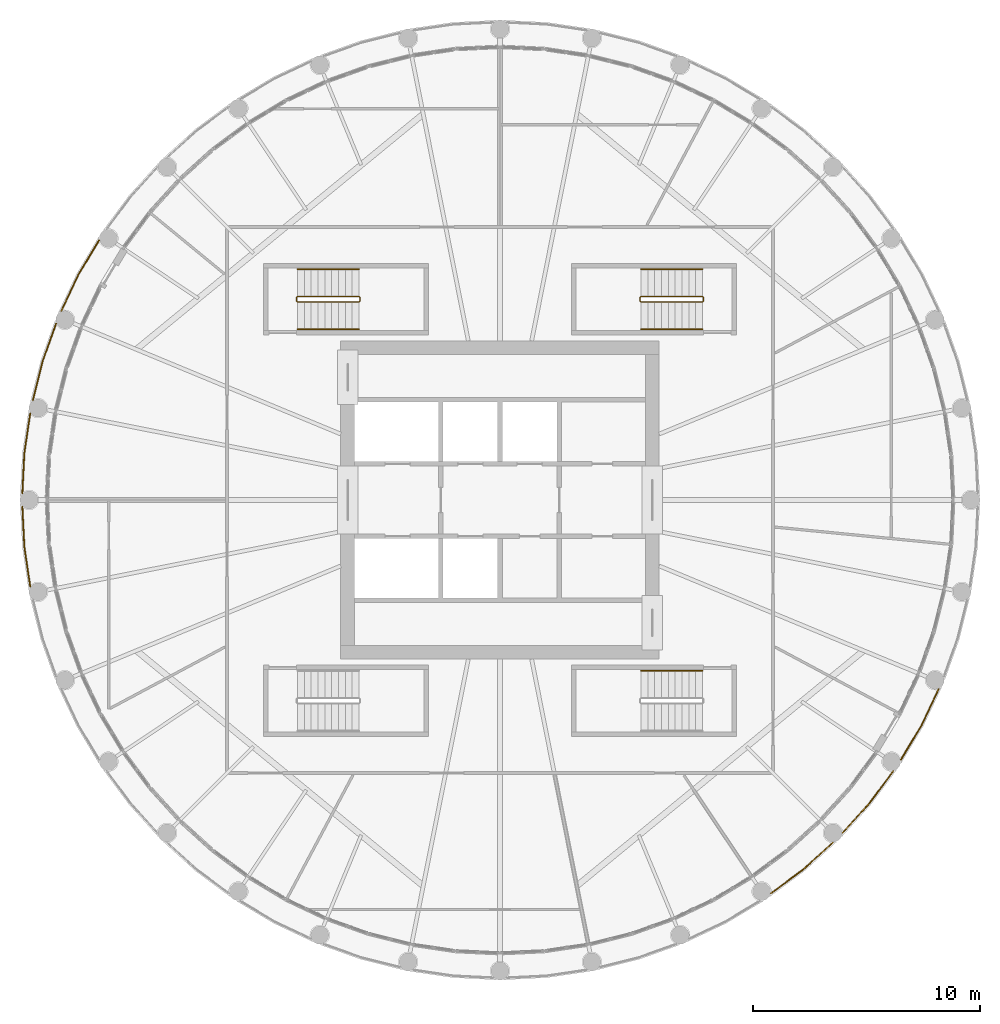
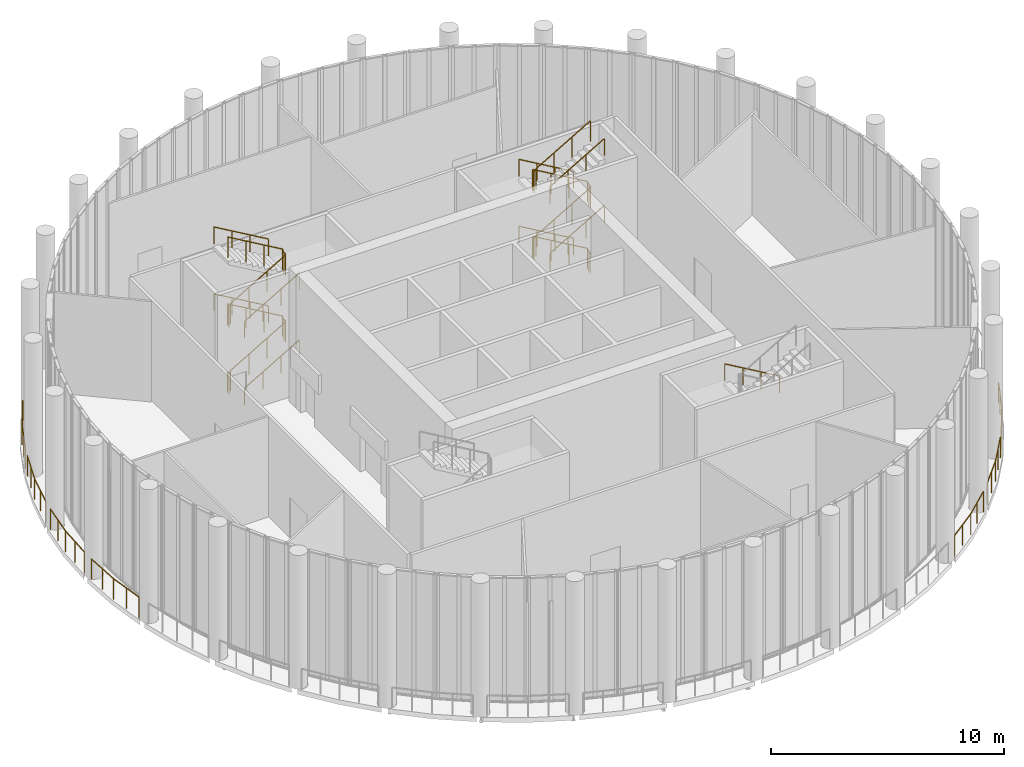
# One storey, part 20 of 21: 18 railings.
"""IFC4 building model written with IfcOpenShell, lengths in metres."""

from ifc_helpers import new_model, si_unit, direction, frame, origin, origin_2d, place, context, subcontext, project, spatial, circle, extrude, material, type_object, element, save


model = new_model("IFC4")

# Units and contexts
model_context = context("Model", 3, precision=1e-05, world=origin(), true_north=direction((0.0, 1.0)))
body_context = subcontext(model_context, "Body", "Model", "MODEL_VIEW")
ifc_project = project(units=[si_unit("LENGTHUNIT", "METRE"), si_unit("AREAUNIT", "SQUARE_METRE"), si_unit("VOLUMEUNIT", "CUBIC_METRE"), si_unit("PLANEANGLEUNIT", "RADIAN"), si_unit("MASSUNIT", "GRAM", prefix="KILO")], contexts=[model_context])

# Site, building, storey
site_placement = place(None, origin())
site = spatial("IfcSite", under=ifc_project, at=site_placement, CompositionType="ELEMENT")
building_placement = place(site_placement, origin())
building = spatial("IfcBuilding", under=site, at=building_placement, Name="Corvane Civic Tower", CompositionType="ELEMENT")
storey_placement = place(building_placement, frame((0.0, 0.0, 380.5)))
storey = spatial("IfcBuildingStorey", under=building, at=storey_placement, Name="L91", CompositionType="ELEMENT", Elevation=380.5)

# Railings
ifc_material_1 = material(Name="Steel ASTM A572 Gr 50", Category="steel")
railing_type_1 = type_object("IfcRailingType", Name="PODIUM-RL-GUARD-1100", PredefinedType="GUARDRAIL", material=ifc_material_1)
railing_1_placement = place(storey_placement, frame((11.91162109375, -17.2919921875, 0.0)))
element("IfcRailing", 1, at=railing_1_placement, inside=storey, type_object=railing_type_1, Name="Lookout gallery guard 7", PredefinedType="GUARDRAIL", context=body_context, shape_type="SweptSolid", body=[
    extrude(circle(Radius=0.02392578125, at=origin_2d()), frame((0.0, 0.0, 1.076171875), z_axis=(0.803177057574, 0.595740391602, 0.0), x_axis=(-0.595740391602, 0.803177057574, 0.0)), (0.0, 0.0, 1.0), 1.76416015625),
    extrude(circle(Radius=0.02392578125, at=origin_2d()), frame((1.4169921875, 1.051025390625, 1.076171875), z_axis=(0.740885716185, 0.671631115682, 0.0), x_axis=(-0.671631115682, 0.740885716185, 0.0)), (0.0, 0.0, 1.0), 1.7626953125),
    extrude(circle(Radius=0.02099609375, at=origin_2d()), origin(), (0.0, 0.0, 1.0), 1.052001953125),
    extrude(circle(Radius=0.02099609375, at=origin_2d()), frame((0.70849609375, 0.525390625, 0.0)), (0.0, 0.0, 1.0), 1.052001953125),
    extrude(circle(Radius=0.02099609375, at=origin_2d()), frame((1.4169921875, 1.051025390625, 0.0)), (0.0, 0.0, 1.0), 1.052001953125),
    extrude(circle(Radius=0.02099609375, at=origin_2d()), frame((2.06982421875, 1.64306640625, 0.0)), (0.0, 0.0, 1.0), 1.052001953125),
    extrude(circle(Radius=0.02099609375, at=origin_2d()), frame((2.722900390625, 2.23486328125, 0.0)), (0.0, 0.0, 1.0), 1.052001953125),
])
railing_2_placement = place(storey_placement, frame((15.05712890625, -14.634521484375, 0.0)))
element("IfcRailing", 2, at=railing_2_placement, inside=storey, type_object=railing_type_1, Name="Lookout gallery guard 9", PredefinedType="GUARDRAIL", context=body_context, shape_type="SweptSolid", body=[
    extrude(circle(Radius=0.02392578125, at=origin_2d()), frame((0.0, 0.0, 1.076171875), z_axis=(0.671631115682, 0.740885716185, 0.0), x_axis=(-0.740885716185, 0.671631115682, 0.0)), (0.0, 0.0, 1.0), 1.7626953125),
    extrude(circle(Radius=0.02392578125, at=origin_2d()), frame((1.183837890625, 1.305908203125, 1.076171875), z_axis=(0.595740391602, 0.803177057574, 0.0), x_axis=(-0.803177057574, 0.595740391602, 0.0)), (0.0, 0.0, 1.0), 1.76416015625),
    extrude(circle(Radius=0.02099609375, at=origin_2d()), origin(), (0.0, 0.0, 1.0), 1.052001953125),
    extrude(circle(Radius=0.02099609375, at=origin_2d()), frame((0.591796875, 0.65283203125, 0.0)), (0.0, 0.0, 1.0), 1.052001953125),
    extrude(circle(Radius=0.02099609375, at=origin_2d()), frame((1.183837890625, 1.305908203125, 0.0)), (0.0, 0.0, 1.0), 1.052001953125),
    extrude(circle(Radius=0.02099609375, at=origin_2d()), frame((1.70947265625, 2.014404296875, 0.0)), (0.0, 0.0, 1.0), 1.052001953125),
    extrude(circle(Radius=0.02099609375, at=origin_2d()), frame((2.23486328125, 2.722900390625, 0.0)), (0.0, 0.0, 1.0), 1.052001953125),
])
railing_3_placement = place(storey_placement, frame((17.622314453125, -11.417236328125, 0.0)))
element("IfcRailing", 3, at=railing_3_placement, inside=storey, type_object=railing_type_1, Name="Lookout gallery guard 11", PredefinedType="GUARDRAIL", context=body_context, shape_type="SweptSolid", body=[
    extrude(circle(Radius=0.02392578125, at=origin_2d()), frame((0.0, 0.0, 1.076171875), z_axis=(0.514007211238, 0.857785863019, 0.0), x_axis=(-0.857785863019, 0.514007211238, 0.0)), (0.0, 0.0, 1.0), 1.76416015625),
    extrude(circle(Radius=0.02392578125, at=origin_2d()), frame((0.90673828125, 1.51318359375, 1.076171875), z_axis=(0.427610082489, 0.903963283189, 0.0), x_axis=(-0.903963283189, 0.427610082489, 0.0)), (0.0, 0.0, 1.0), 1.76318359375),
    extrude(circle(Radius=0.02099609375, at=origin_2d()), origin(), (0.0, 0.0, 1.0), 1.052001953125),
    extrude(circle(Radius=0.02099609375, at=origin_2d()), frame((0.453369140625, 0.756591796875, 0.0)), (0.0, 0.0, 1.0), 1.052001953125),
    extrude(circle(Radius=0.02099609375, at=origin_2d()), frame((0.90673828125, 1.51318359375, 0.0)), (0.0, 0.0, 1.0), 1.052001953125),
    extrude(circle(Radius=0.02099609375, at=origin_2d()), frame((1.28369140625, 2.31005859375, 0.0)), (0.0, 0.0, 1.0), 1.052001953125),
    extrude(circle(Radius=0.02099609375, at=origin_2d()), frame((1.66064453125, 3.10693359375, 0.0)), (0.0, 0.0, 1.0), 1.052001953125),
])
railing_4_placement = place(storey_placement, frame((-20.995361328125, -0.29833984375, 0.0)))
element("IfcRailing", 4, at=railing_4_placement, inside=storey, type_object=railing_type_1, Name="Lookout gallery guard 16", PredefinedType="GUARDRAIL", context=body_context, shape_type="SweptSolid", body=[
    extrude(circle(Radius=0.02392578125, at=origin_2d()), frame((0.0, 0.0, 1.076171875), z_axis=(0.049019054017, -0.998797843582, 0.0), x_axis=(0.998797843582, 0.049019054017, 0.0)), (0.0, 0.0, 1.0), 1.76318359375),
    extrude(circle(Radius=0.02392578125, at=origin_2d()), frame((0.08642578125, -1.760986328125, 1.076171875), z_axis=(0.146844593448, -0.989159575283, 0.0), x_axis=(0.989159575283, 0.146844593448, 0.0)), (0.0, 0.0, 1.0), 1.763916015625),
    extrude(circle(Radius=0.02099609375, at=origin_2d()), origin(), (0.0, 0.0, 1.0), 1.052001953125),
    extrude(circle(Radius=0.02099609375, at=origin_2d()), frame((0.043212890625, -0.88037109375, 0.0)), (0.0, 0.0, 1.0), 1.052001953125),
    extrude(circle(Radius=0.02099609375, at=origin_2d()), frame((0.08642578125, -1.760986328125, 0.0)), (0.0, 0.0, 1.0), 1.052001953125),
    extrude(circle(Radius=0.02099609375, at=origin_2d()), frame((0.2158203125, -2.63330078125, 0.0)), (0.0, 0.0, 1.0), 1.052001953125),
    extrude(circle(Radius=0.02099609375, at=origin_2d()), frame((0.345458984375, -3.505859375, 0.0)), (0.0, 0.0, 1.0), 1.052001953125),
])
railing_5_placement = place(storey_placement, frame((-20.64990234375, 3.80419921875, 0.0)))
element("IfcRailing", 5, at=railing_5_placement, inside=storey, type_object=railing_type_1, Name="Lookout gallery guard 18", PredefinedType="GUARDRAIL", context=body_context, shape_type="SweptSolid", body=[
    extrude(circle(Radius=0.02392578125, at=origin_2d()), frame((0.0, 0.0, 1.076171875), z_axis=(-0.146844593448, -0.989159575283, 0.0), x_axis=(0.989159575283, -0.146844593448, 0.0)), (0.0, 0.0, 1.0), 1.763916015625),
    extrude(circle(Radius=0.02392578125, at=origin_2d()), frame((-0.259033203125, -1.744873046875, 1.076171875), z_axis=(-0.049019054017, -0.998797843582, 0.0), x_axis=(0.998797843582, -0.049019054017, 0.0)), (0.0, 0.0, 1.0), 1.76318359375),
    extrude(circle(Radius=0.02099609375, at=origin_2d()), origin(), (0.0, 0.0, 1.0), 1.052001953125),
    extrude(circle(Radius=0.02099609375, at=origin_2d()), frame((-0.12939453125, -0.87255859375, 0.0)), (0.0, 0.0, 1.0), 1.052001953125),
    extrude(circle(Radius=0.02099609375, at=origin_2d()), frame((-0.259033203125, -1.744873046875, 0.0)), (0.0, 0.0, 1.0), 1.052001953125),
    extrude(circle(Radius=0.02099609375, at=origin_2d()), frame((-0.30224609375, -2.62548828125, 0.0)), (0.0, 0.0, 1.0), 1.052001953125),
    extrude(circle(Radius=0.02099609375, at=origin_2d()), frame((-0.345458984375, -3.505859375, 0.0)), (0.0, 0.0, 1.0), 1.052001953125),
])
railing_6_placement = place(storey_placement, frame((-19.51123046875, 7.7587890625, 0.0)))
element("IfcRailing", 6, at=railing_6_placement, inside=storey, type_object=railing_type_1, Name="Lookout gallery guard 20", PredefinedType="GUARDRAIL", context=body_context, shape_type="SweptSolid", body=[
    extrude(circle(Radius=0.02392578125, at=origin_2d()), frame((0.0, 0.0, 1.076171875), z_axis=(-0.336924092163, -0.941531813653, 0.0), x_axis=(0.941531813653, -0.336924092163, 0.0)), (0.0, 0.0, 1.0), 1.762939453125),
    extrude(circle(Radius=0.02392578125, at=origin_2d()), frame((-0.593994140625, -1.659912109375, 1.076171875), z_axis=(-0.243024052124, -0.970020262721, 0.0), x_axis=(0.970020262721, -0.243024052124, 0.0)), (0.0, 0.0, 1.0), 1.76416015625),
    extrude(circle(Radius=0.02099609375, at=origin_2d()), origin(), (0.0, 0.0, 1.0), 1.052001953125),
    extrude(circle(Radius=0.02099609375, at=origin_2d()), frame((-0.296875, -0.830078125, 0.0)), (0.0, 0.0, 1.0), 1.052001953125),
    extrude(circle(Radius=0.02099609375, at=origin_2d()), frame((-0.593994140625, -1.659912109375, 0.0)), (0.0, 0.0, 1.0), 1.052001953125),
    extrude(circle(Radius=0.02099609375, at=origin_2d()), frame((-0.808349609375, -2.515625, 0.0)), (0.0, 0.0, 1.0), 1.052001953125),
    extrude(circle(Radius=0.02099609375, at=origin_2d()), frame((-1.022705078125, -3.37109375, 0.0)), (0.0, 0.0, 1.0), 1.052001953125),
])
railing_7_placement = place(storey_placement, frame((-17.622314453125, 11.417236328125, 0.0)))
element("IfcRailing", 7, at=railing_7_placement, inside=storey, type_object=railing_type_1, Name="Lookout gallery guard 22", PredefinedType="GUARDRAIL", context=body_context, shape_type="SweptSolid", body=[
    extrude(circle(Radius=0.02392578125, at=origin_2d()), frame((0.0, 0.0, 1.076171875), z_axis=(-0.514007211238, -0.857785863019, 0.0), x_axis=(0.857785863019, -0.514007211238, 0.0)), (0.0, 0.0, 1.0), 1.76416015625),
    extrude(circle(Radius=0.02392578125, at=origin_2d()), frame((-0.90673828125, -1.51318359375, 1.076171875), z_axis=(-0.427610082489, -0.903963283189, 0.0), x_axis=(0.903963283189, -0.427610082489, 0.0)), (0.0, 0.0, 1.0), 1.76318359375),
    extrude(circle(Radius=0.02099609375, at=origin_2d()), origin(), (0.0, 0.0, 1.0), 1.052001953125),
    extrude(circle(Radius=0.02099609375, at=origin_2d()), frame((-0.453369140625, -0.756591796875, 0.0)), (0.0, 0.0, 1.0), 1.052001953125),
    extrude(circle(Radius=0.02099609375, at=origin_2d()), frame((-0.90673828125, -1.51318359375, 0.0)), (0.0, 0.0, 1.0), 1.052001953125),
    extrude(circle(Radius=0.02099609375, at=origin_2d()), frame((-1.28369140625, -2.31005859375, 0.0)), (0.0, 0.0, 1.0), 1.052001953125),
    extrude(circle(Radius=0.02099609375, at=origin_2d()), frame((-1.66064453125, -3.10693359375, 0.0)), (0.0, 0.0, 1.0), 1.052001953125),
])
ifc_material_2 = material(Name="Steel ASTM A572 Gr 50", Category="steel")
railing_type_2 = type_object("IfcRailingType", Name="ST-GUARD-1100", PredefinedType="GUARDRAIL", material=ifc_material_2)
railing_8_placement = place(storey_placement, frame((8.949951171875, 8.75, 0.0)))
element("IfcRailing", 8, at=railing_8_placement, inside=storey, type_object=railing_type_2, Name="L91 ST1 stair guard 1", PredefinedType="GUARDRAIL", context=body_context, shape_type="SweptSolid", body=[
    extrude(circle(Radius=0.02392578125, at=origin_2d()), frame((0.0, 0.0, 1.076171875), z_axis=(0.0, 1.0, 0.0), x_axis=(-1.0, 0.0, 0.0)), (0.0, 0.0, 1.0), 0.14990234375),
    extrude(circle(Radius=0.02392578125, at=origin_2d()), frame((0.0, 0.14990234375, 1.076171875), z_axis=(-0.265065253269, 0.265065253269, 0.927081885822), x_axis=(-0.707106781187, -0.707106781187, 0.0)), (0.0, 0.0, 1.0), 0.188720703125),
    extrude(circle(Radius=0.02392578125, at=origin_2d()), frame((-0.050048828125, 0.199951171875, 1.2509765625), z_axis=(-0.863781733769, 0.0, 0.503866169142), x_axis=(0.0, -1.0, 0.0)), (0.0, 0.0, 1.0), 3.125732421875),
    extrude(circle(Radius=0.02392578125, at=origin_2d()), frame((-2.75, 0.199951171875, 2.826171875), z_axis=(-0.707106781187, -0.707106781187, 0.0), x_axis=(0.707106781187, -0.707106781187, 0.0)), (0.0, 0.0, 1.0), 0.07080078125),
    extrude(circle(Radius=0.02392578125, at=origin_2d()), frame((-2.800048828125, 0.14990234375, 2.826171875), z_axis=(0.0, -1.0, 0.0), x_axis=(1.0, 0.0, 0.0)), (0.0, 0.0, 1.0), 0.14990234375),
    extrude(circle(Radius=0.02392578125, at=origin_2d()), frame((-2.800048828125, 0.0, 2.826171875), z_axis=(0.265065253269, -0.265065253269, 0.927081885822), x_axis=(0.707106781187, 0.707106781187, 0.0)), (0.0, 0.0, 1.0), 0.188720703125),
    extrude(circle(Radius=0.02392578125, at=origin_2d()), frame((-2.75, -0.050048828125, 3.0009765625), z_axis=(0.863781733769, 0.0, 0.503866169142), x_axis=(0.0, 1.0, 0.0)), (0.0, 0.0, 1.0), 3.125732421875),
    extrude(circle(Radius=0.02392578125, at=origin_2d()), frame((-0.050048828125, -0.050048828125, 4.576171875), z_axis=(0.707106781187, 0.707106781187, 0.0), x_axis=(-0.707106781187, 0.707106781187, 0.0)), (0.0, 0.0, 1.0), 0.07080078125),
    extrude(circle(Radius=0.02392578125, at=origin_2d()), frame((0.0, 0.0, 4.576171875), z_axis=(0.0, 1.0, 0.0), x_axis=(-1.0, 0.0, 0.0)), (0.0, 0.0, 1.0), 0.14990234375),
    extrude(circle(Radius=0.02392578125, at=origin_2d()), frame((0.0, 0.14990234375, 4.576171875), z_axis=(-0.265065253269, 0.265065253269, 0.927081885822), x_axis=(-0.707106781187, -0.707106781187, 0.0)), (0.0, 0.0, 1.0), 0.188720703125),
    extrude(circle(Radius=0.02392578125, at=origin_2d()), frame((-0.050048828125, 0.199951171875, 4.7509765625), z_axis=(-0.863781733769, 0.0, 0.503866169142), x_axis=(0.0, -1.0, 0.0)), (0.0, 0.0, 1.0), 3.125732421875),
    extrude(circle(Radius=0.02392578125, at=origin_2d()), frame((-2.75, 0.199951171875, 6.326171875), z_axis=(-0.707106781187, -0.707106781187, 0.0), x_axis=(0.707106781187, -0.707106781187, 0.0)), (0.0, 0.0, 1.0), 0.07080078125),
    extrude(circle(Radius=0.02392578125, at=origin_2d()), frame((-2.800048828125, 0.14990234375, 6.326171875), z_axis=(0.0, -1.0, 0.0), x_axis=(1.0, 0.0, 0.0)), (0.0, 0.0, 1.0), 0.14990234375),
    extrude(circle(Radius=0.02392578125, at=origin_2d()), frame((-2.800048828125, 0.0, 6.326171875), z_axis=(0.265065253269, -0.265065253269, 0.927081885822), x_axis=(0.707106781187, 0.707106781187, 0.0)), (0.0, 0.0, 1.0), 0.188720703125),
    extrude(circle(Radius=0.02392578125, at=origin_2d()), frame((-2.75, -0.050048828125, 6.5009765625), z_axis=(0.863781733769, 0.0, 0.503866169142), x_axis=(0.0, 1.0, 0.0)), (0.0, 0.0, 1.0), 3.125732421875),
    extrude(circle(Radius=0.02099609375, at=origin_2d()), origin(), (0.0, 0.0, 1.0), 1.052001953125),
    extrude(circle(Radius=0.02099609375, at=origin_2d()), frame((0.0, 0.14990234375, 0.0)), (0.0, 0.0, 1.0), 1.052001953125),
    extrude(circle(Radius=0.02099609375, at=origin_2d()), frame((-0.050048828125, 0.199951171875, 0.175048828125)), (0.0, 0.0, 1.0), 1.052001953125),
    extrude(circle(Radius=0.02099609375, at=origin_2d()), frame((-0.949951171875, 0.199951171875, 0.699951171875)), (0.0, 0.0, 1.0), 1.052001953125),
    extrude(circle(Radius=0.02099609375, at=origin_2d()), frame((-1.85009765625, 0.199951171875, 1.22509765625)), (0.0, 0.0, 1.0), 1.052001953125),
    extrude(circle(Radius=0.02099609375, at=origin_2d()), frame((-2.75, 0.199951171875, 1.75)), (0.0, 0.0, 1.0), 1.052001953125),
    extrude(circle(Radius=0.02099609375, at=origin_2d()), frame((-2.800048828125, 0.14990234375, 1.75)), (0.0, 0.0, 1.0), 1.052001953125),
    extrude(circle(Radius=0.02099609375, at=origin_2d()), frame((-2.800048828125, 0.0, 1.75)), (0.0, 0.0, 1.0), 1.052001953125),
    extrude(circle(Radius=0.02099609375, at=origin_2d()), frame((-2.75, -0.050048828125, 1.925048828125)), (0.0, 0.0, 1.0), 1.052001953125),
    extrude(circle(Radius=0.02099609375, at=origin_2d()), frame((-1.85009765625, -0.050048828125, 2.449951171875)), (0.0, 0.0, 1.0), 1.052001953125),
    extrude(circle(Radius=0.02099609375, at=origin_2d()), frame((-0.949951171875, -0.050048828125, 2.97509765625)), (0.0, 0.0, 1.0), 1.052001953125),
    extrude(circle(Radius=0.02099609375, at=origin_2d()), frame((-0.050048828125, -0.050048828125, 3.5)), (0.0, 0.0, 1.0), 1.052001953125),
    extrude(circle(Radius=0.02099609375, at=origin_2d()), frame((0.0, 0.0, 3.5)), (0.0, 0.0, 1.0), 1.052001953125),
    extrude(circle(Radius=0.02099609375, at=origin_2d()), frame((0.0, 0.14990234375, 3.5)), (0.0, 0.0, 1.0), 1.052001953125),
    extrude(circle(Radius=0.02099609375, at=origin_2d()), frame((-0.050048828125, 0.199951171875, 3.675048828125)), (0.0, 0.0, 1.0), 1.052001953125),
    extrude(circle(Radius=0.02099609375, at=origin_2d()), frame((-0.949951171875, 0.199951171875, 4.199951171875)), (0.0, 0.0, 1.0), 1.052001953125),
    extrude(circle(Radius=0.02099609375, at=origin_2d()), frame((-1.85009765625, 0.199951171875, 4.72509765625)), (0.0, 0.0, 1.0), 1.052001953125),
    extrude(circle(Radius=0.02099609375, at=origin_2d()), frame((-2.75, 0.199951171875, 5.25)), (0.0, 0.0, 1.0), 1.052001953125),
    extrude(circle(Radius=0.02099609375, at=origin_2d()), frame((-2.800048828125, 0.14990234375, 5.25)), (0.0, 0.0, 1.0), 1.052001953125),
    extrude(circle(Radius=0.02099609375, at=origin_2d()), frame((-2.800048828125, 0.0, 5.25)), (0.0, 0.0, 1.0), 1.052001953125),
    extrude(circle(Radius=0.02099609375, at=origin_2d()), frame((-2.75, -0.050048828125, 5.425048828125)), (0.0, 0.0, 1.0), 1.052001953125),
    extrude(circle(Radius=0.02099609375, at=origin_2d()), frame((-1.85009765625, -0.050048828125, 5.949951171875)), (0.0, 0.0, 1.0), 1.052001953125),
    extrude(circle(Radius=0.02099609375, at=origin_2d()), frame((-0.949951171875, -0.050048828125, 6.47509765625)), (0.0, 0.0, 1.0), 1.052001953125),
    extrude(circle(Radius=0.02099609375, at=origin_2d()), frame((-0.050048828125, -0.050048828125, 7.0)), (0.0, 0.0, 1.0), 1.052001953125),
])
railing_9_placement = place(storey_placement, frame((-8.949951171875, 8.89990234375, 0.0)))
element("IfcRailing", 9, at=railing_9_placement, inside=storey, type_object=railing_type_2, Name="L91 ST4 stair guard 1", PredefinedType="GUARDRAIL", context=body_context, shape_type="SweptSolid", body=[
    extrude(circle(Radius=0.02392578125, at=origin_2d()), frame((0.0, 0.0, 1.076171875), z_axis=(0.0, -1.0, 0.0), x_axis=(1.0, 0.0, 0.0)), (0.0, 0.0, 1.0), 0.14990234375),
    extrude(circle(Radius=0.02392578125, at=origin_2d()), frame((0.0, -0.14990234375, 1.076171875), z_axis=(0.265065253269, -0.265065253269, 0.927081885822), x_axis=(0.707106781187, 0.707106781187, 0.0)), (0.0, 0.0, 1.0), 0.188720703125),
    extrude(circle(Radius=0.02392578125, at=origin_2d()), frame((0.050048828125, -0.199951171875, 1.2509765625), z_axis=(0.863781733769, 0.0, 0.503866169142), x_axis=(0.0, 1.0, 0.0)), (0.0, 0.0, 1.0), 3.125732421875),
    extrude(circle(Radius=0.02392578125, at=origin_2d()), frame((2.75, -0.199951171875, 2.826171875), z_axis=(0.707106781187, 0.707106781187, 0.0), x_axis=(-0.707106781187, 0.707106781187, 0.0)), (0.0, 0.0, 1.0), 0.07080078125),
    extrude(circle(Radius=0.02392578125, at=origin_2d()), frame((2.800048828125, -0.14990234375, 2.826171875), z_axis=(0.0, 1.0, 0.0), x_axis=(-1.0, 0.0, 0.0)), (0.0, 0.0, 1.0), 0.14990234375),
    extrude(circle(Radius=0.02392578125, at=origin_2d()), frame((2.800048828125, 0.0, 2.826171875), z_axis=(-0.265065253269, 0.265065253269, 0.927081885822), x_axis=(-0.707106781187, -0.707106781187, 0.0)), (0.0, 0.0, 1.0), 0.188720703125),
    extrude(circle(Radius=0.02392578125, at=origin_2d()), frame((2.75, 0.050048828125, 3.0009765625), z_axis=(-0.863781733769, 0.0, 0.503866169142), x_axis=(0.0, -1.0, 0.0)), (0.0, 0.0, 1.0), 3.125732421875),
    extrude(circle(Radius=0.02392578125, at=origin_2d()), frame((0.050048828125, 0.050048828125, 4.576171875), z_axis=(-0.707106781187, -0.707106781187, 0.0), x_axis=(0.707106781187, -0.707106781187, 0.0)), (0.0, 0.0, 1.0), 0.07080078125),
    extrude(circle(Radius=0.02392578125, at=origin_2d()), frame((0.0, 0.0, 4.576171875), z_axis=(0.0, -1.0, 0.0), x_axis=(1.0, 0.0, 0.0)), (0.0, 0.0, 1.0), 0.14990234375),
    extrude(circle(Radius=0.02392578125, at=origin_2d()), frame((0.0, -0.14990234375, 4.576171875), z_axis=(0.265065253269, -0.265065253269, 0.927081885822), x_axis=(0.707106781187, 0.707106781187, 0.0)), (0.0, 0.0, 1.0), 0.188720703125),
    extrude(circle(Radius=0.02392578125, at=origin_2d()), frame((0.050048828125, -0.199951171875, 4.7509765625), z_axis=(0.863781733769, 0.0, 0.503866169142), x_axis=(0.0, 1.0, 0.0)), (0.0, 0.0, 1.0), 3.125732421875),
    extrude(circle(Radius=0.02392578125, at=origin_2d()), frame((2.75, -0.199951171875, 6.326171875), z_axis=(0.707106781187, 0.707106781187, 0.0), x_axis=(-0.707106781187, 0.707106781187, 0.0)), (0.0, 0.0, 1.0), 0.07080078125),
    extrude(circle(Radius=0.02392578125, at=origin_2d()), frame((2.800048828125, -0.14990234375, 6.326171875), z_axis=(0.0, 1.0, 0.0), x_axis=(-1.0, 0.0, 0.0)), (0.0, 0.0, 1.0), 0.14990234375),
    extrude(circle(Radius=0.02392578125, at=origin_2d()), frame((2.800048828125, 0.0, 6.326171875), z_axis=(-0.265065253269, 0.265065253269, 0.927081885822), x_axis=(-0.707106781187, -0.707106781187, 0.0)), (0.0, 0.0, 1.0), 0.188720703125),
    extrude(circle(Radius=0.02392578125, at=origin_2d()), frame((2.75, 0.050048828125, 6.5009765625), z_axis=(-0.863781733769, 0.0, 0.503866169142), x_axis=(0.0, -1.0, 0.0)), (0.0, 0.0, 1.0), 3.125732421875),
    extrude(circle(Radius=0.02099609375, at=origin_2d()), origin(), (0.0, 0.0, 1.0), 1.052001953125),
    extrude(circle(Radius=0.02099609375, at=origin_2d()), frame((0.0, -0.14990234375, 0.0)), (0.0, 0.0, 1.0), 1.052001953125),
    extrude(circle(Radius=0.02099609375, at=origin_2d()), frame((0.050048828125, -0.199951171875, 0.175048828125)), (0.0, 0.0, 1.0), 1.052001953125),
    extrude(circle(Radius=0.02099609375, at=origin_2d()), frame((0.949951171875, -0.199951171875, 0.699951171875)), (0.0, 0.0, 1.0), 1.052001953125),
    extrude(circle(Radius=0.02099609375, at=origin_2d()), frame((1.85009765625, -0.199951171875, 1.22509765625)), (0.0, 0.0, 1.0), 1.052001953125),
    extrude(circle(Radius=0.02099609375, at=origin_2d()), frame((2.75, -0.199951171875, 1.75)), (0.0, 0.0, 1.0), 1.052001953125),
    extrude(circle(Radius=0.02099609375, at=origin_2d()), frame((2.800048828125, -0.14990234375, 1.75)), (0.0, 0.0, 1.0), 1.052001953125),
    extrude(circle(Radius=0.02099609375, at=origin_2d()), frame((2.800048828125, 0.0, 1.75)), (0.0, 0.0, 1.0), 1.052001953125),
    extrude(circle(Radius=0.02099609375, at=origin_2d()), frame((2.75, 0.050048828125, 1.925048828125)), (0.0, 0.0, 1.0), 1.052001953125),
    extrude(circle(Radius=0.02099609375, at=origin_2d()), frame((1.85009765625, 0.050048828125, 2.449951171875)), (0.0, 0.0, 1.0), 1.052001953125),
    extrude(circle(Radius=0.02099609375, at=origin_2d()), frame((0.949951171875, 0.050048828125, 2.97509765625)), (0.0, 0.0, 1.0), 1.052001953125),
    extrude(circle(Radius=0.02099609375, at=origin_2d()), frame((0.050048828125, 0.050048828125, 3.5)), (0.0, 0.0, 1.0), 1.052001953125),
    extrude(circle(Radius=0.02099609375, at=origin_2d()), frame((0.0, 0.0, 3.5)), (0.0, 0.0, 1.0), 1.052001953125),
    extrude(circle(Radius=0.02099609375, at=origin_2d()), frame((0.0, -0.14990234375, 3.5)), (0.0, 0.0, 1.0), 1.052001953125),
    extrude(circle(Radius=0.02099609375, at=origin_2d()), frame((0.050048828125, -0.199951171875, 3.675048828125)), (0.0, 0.0, 1.0), 1.052001953125),
    extrude(circle(Radius=0.02099609375, at=origin_2d()), frame((0.949951171875, -0.199951171875, 4.199951171875)), (0.0, 0.0, 1.0), 1.052001953125),
    extrude(circle(Radius=0.02099609375, at=origin_2d()), frame((1.85009765625, -0.199951171875, 4.72509765625)), (0.0, 0.0, 1.0), 1.052001953125),
    extrude(circle(Radius=0.02099609375, at=origin_2d()), frame((2.75, -0.199951171875, 5.25)), (0.0, 0.0, 1.0), 1.052001953125),
    extrude(circle(Radius=0.02099609375, at=origin_2d()), frame((2.800048828125, -0.14990234375, 5.25)), (0.0, 0.0, 1.0), 1.052001953125),
    extrude(circle(Radius=0.02099609375, at=origin_2d()), frame((2.800048828125, 0.0, 5.25)), (0.0, 0.0, 1.0), 1.052001953125),
    extrude(circle(Radius=0.02099609375, at=origin_2d()), frame((2.75, 0.050048828125, 5.425048828125)), (0.0, 0.0, 1.0), 1.052001953125),
    extrude(circle(Radius=0.02099609375, at=origin_2d()), frame((1.85009765625, 0.050048828125, 5.949951171875)), (0.0, 0.0, 1.0), 1.052001953125),
    extrude(circle(Radius=0.02099609375, at=origin_2d()), frame((0.949951171875, 0.050048828125, 6.47509765625)), (0.0, 0.0, 1.0), 1.052001953125),
    extrude(circle(Radius=0.02099609375, at=origin_2d()), frame((0.050048828125, 0.050048828125, 7.0)), (0.0, 0.0, 1.0), 1.052001953125),
])
ifc_material_3 = material(Name="Steel ASTM A572 Gr 50", Category="steel")
railing_type_3 = type_object("IfcRailingType", Name="ST-HANDRAIL-900", PredefinedType="HANDRAIL", material=ifc_material_3)
railing_10_placement = place(storey_placement, frame((8.89990234375, 10.14990234375, 0.175048828125)))
element("IfcRailing", 10, at=railing_10_placement, inside=storey, type_object=railing_type_3, Name="L91 ST1 stair handrail 1", PredefinedType="HANDRAIL", context=body_context, shape_type="SweptSolid", body=[
    extrude(circle(Radius=0.02392578125, at=origin_2d()), frame((0.0, 0.0, 0.8759765625), z_axis=(-0.863781733769, 0.0, 0.503866169142), x_axis=(0.0, -1.0, 0.0)), (0.0, 0.0, 1.0), 3.125732421875),
    extrude(circle(Radius=0.02099609375, at=origin_2d()), origin(), (0.0, 0.0, 1.0), 0.851806640625),
    extrude(circle(Radius=0.02099609375, at=origin_2d()), frame((-0.89990234375, 0.0, 0.52490234375)), (0.0, 0.0, 1.0), 0.851806640625),
    extrude(circle(Radius=0.02099609375, at=origin_2d()), frame((-1.800048828125, 0.0, 1.050048828125)), (0.0, 0.0, 1.0), 0.851806640625),
    extrude(circle(Radius=0.02099609375, at=origin_2d()), frame((-2.699951171875, 0.0, 1.574951171875)), (0.0, 0.0, 1.0), 0.851806640625),
])
railing_11_placement = place(storey_placement, frame((6.199951171875, 7.5, 1.925048828125)))
element("IfcRailing", 11, at=railing_11_placement, inside=storey, type_object=railing_type_3, Name="L91 ST1 stair handrail 2", PredefinedType="HANDRAIL", context=body_context, shape_type="SweptSolid", body=[
    extrude(circle(Radius=0.02392578125, at=origin_2d()), frame((0.0, 0.0, 0.8759765625), z_axis=(0.863781733769, 0.0, 0.503866169142), x_axis=(0.0, 1.0, 0.0)), (0.0, 0.0, 1.0), 3.125732421875),
    extrude(circle(Radius=0.02099609375, at=origin_2d()), origin(), (0.0, 0.0, 1.0), 0.851806640625),
    extrude(circle(Radius=0.02099609375, at=origin_2d()), frame((0.89990234375, 0.0, 0.52490234375)), (0.0, 0.0, 1.0), 0.851806640625),
    extrude(circle(Radius=0.02099609375, at=origin_2d()), frame((1.800048828125, 0.0, 1.050048828125)), (0.0, 0.0, 1.0), 0.851806640625),
    extrude(circle(Radius=0.02099609375, at=origin_2d()), frame((2.699951171875, 0.0, 1.574951171875)), (0.0, 0.0, 1.0), 0.851806640625),
])
railing_12_placement = place(storey_placement, frame((8.89990234375, 10.14990234375, 3.675048828125)))
element("IfcRailing", 12, at=railing_12_placement, inside=storey, type_object=railing_type_3, Name="L91 ST1 stair handrail 3", PredefinedType="HANDRAIL", context=body_context, shape_type="SweptSolid", body=[
    extrude(circle(Radius=0.02392578125, at=origin_2d()), frame((0.0, 0.0, 0.8759765625), z_axis=(-0.863781733769, 0.0, 0.503866169142), x_axis=(0.0, -1.0, 0.0)), (0.0, 0.0, 1.0), 3.125732421875),
    extrude(circle(Radius=0.02099609375, at=origin_2d()), origin(), (0.0, 0.0, 1.0), 0.851806640625),
    extrude(circle(Radius=0.02099609375, at=origin_2d()), frame((-0.89990234375, 0.0, 0.52490234375)), (0.0, 0.0, 1.0), 0.851806640625),
    extrude(circle(Radius=0.02099609375, at=origin_2d()), frame((-1.800048828125, 0.0, 1.050048828125)), (0.0, 0.0, 1.0), 0.851806640625),
    extrude(circle(Radius=0.02099609375, at=origin_2d()), frame((-2.699951171875, 0.0, 1.574951171875)), (0.0, 0.0, 1.0), 0.851806640625),
])
railing_13_placement = place(storey_placement, frame((6.199951171875, 7.5, 5.425048828125)))
element("IfcRailing", 13, at=railing_13_placement, inside=storey, type_object=railing_type_3, Name="L91 ST1 stair handrail 4", PredefinedType="HANDRAIL", context=body_context, shape_type="SweptSolid", body=[
    extrude(circle(Radius=0.02392578125, at=origin_2d()), frame((0.0, 0.0, 0.8759765625), z_axis=(0.863781733769, 0.0, 0.503866169142), x_axis=(0.0, 1.0, 0.0)), (0.0, 0.0, 1.0), 3.125732421875),
    extrude(circle(Radius=0.02099609375, at=origin_2d()), origin(), (0.0, 0.0, 1.0), 0.851806640625),
    extrude(circle(Radius=0.02099609375, at=origin_2d()), frame((0.89990234375, 0.0, 0.52490234375)), (0.0, 0.0, 1.0), 0.851806640625),
    extrude(circle(Radius=0.02099609375, at=origin_2d()), frame((1.800048828125, 0.0, 1.050048828125)), (0.0, 0.0, 1.0), 0.851806640625),
    extrude(circle(Radius=0.02099609375, at=origin_2d()), frame((2.699951171875, 0.0, 1.574951171875)), (0.0, 0.0, 1.0), 0.851806640625),
])
railing_14_placement = place(storey_placement, frame((8.89990234375, -7.5, 3.675048828125)))
element("IfcRailing", 14, at=railing_14_placement, inside=storey, type_object=railing_type_3, Name="L91 ST2 stair handrail 3", PredefinedType="HANDRAIL", context=body_context, shape_type="SweptSolid", body=[
    extrude(circle(Radius=0.02392578125, at=origin_2d()), frame((0.0, 0.0, 0.8759765625), z_axis=(-0.863781733769, 0.0, 0.503866169142), x_axis=(0.0, -1.0, 0.0)), (0.0, 0.0, 1.0), 3.125732421875),
    extrude(circle(Radius=0.02099609375, at=origin_2d()), origin(), (0.0, 0.0, 1.0), 0.851806640625),
    extrude(circle(Radius=0.02099609375, at=origin_2d()), frame((-0.89990234375, 0.0, 0.52490234375)), (0.0, 0.0, 1.0), 0.851806640625),
    extrude(circle(Radius=0.02099609375, at=origin_2d()), frame((-1.800048828125, 0.0, 1.050048828125)), (0.0, 0.0, 1.0), 0.851806640625),
    extrude(circle(Radius=0.02099609375, at=origin_2d()), frame((-2.699951171875, 0.0, 1.574951171875)), (0.0, 0.0, 1.0), 0.851806640625),
])
railing_15_placement = place(storey_placement, frame((-8.89990234375, 7.5, 0.175048828125)))
element("IfcRailing", 15, at=railing_15_placement, inside=storey, type_object=railing_type_3, Name="L91 ST4 stair handrail 1", PredefinedType="HANDRAIL", context=body_context, shape_type="SweptSolid", body=[
    extrude(circle(Radius=0.02392578125, at=origin_2d()), frame((0.0, 0.0, 0.8759765625), z_axis=(0.863781733769, 0.0, 0.503866169142), x_axis=(0.0, 1.0, 0.0)), (0.0, 0.0, 1.0), 3.125732421875),
    extrude(circle(Radius=0.02099609375, at=origin_2d()), origin(), (0.0, 0.0, 1.0), 0.851806640625),
    extrude(circle(Radius=0.02099609375, at=origin_2d()), frame((0.89990234375, 0.0, 0.52490234375)), (0.0, 0.0, 1.0), 0.851806640625),
    extrude(circle(Radius=0.02099609375, at=origin_2d()), frame((1.800048828125, 0.0, 1.050048828125)), (0.0, 0.0, 1.0), 0.851806640625),
    extrude(circle(Radius=0.02099609375, at=origin_2d()), frame((2.699951171875, 0.0, 1.574951171875)), (0.0, 0.0, 1.0), 0.851806640625),
])
railing_16_placement = place(storey_placement, frame((-6.199951171875, 10.14990234375, 1.925048828125)))
element("IfcRailing", 16, at=railing_16_placement, inside=storey, type_object=railing_type_3, Name="L91 ST4 stair handrail 2", PredefinedType="HANDRAIL", context=body_context, shape_type="SweptSolid", body=[
    extrude(circle(Radius=0.02392578125, at=origin_2d()), frame((0.0, 0.0, 0.8759765625), z_axis=(-0.863781733769, 0.0, 0.503866169142), x_axis=(0.0, -1.0, 0.0)), (0.0, 0.0, 1.0), 3.125732421875),
    extrude(circle(Radius=0.02099609375, at=origin_2d()), origin(), (0.0, 0.0, 1.0), 0.851806640625),
    extrude(circle(Radius=0.02099609375, at=origin_2d()), frame((-0.89990234375, 0.0, 0.52490234375)), (0.0, 0.0, 1.0), 0.851806640625),
    extrude(circle(Radius=0.02099609375, at=origin_2d()), frame((-1.800048828125, 0.0, 1.050048828125)), (0.0, 0.0, 1.0), 0.851806640625),
    extrude(circle(Radius=0.02099609375, at=origin_2d()), frame((-2.699951171875, 0.0, 1.574951171875)), (0.0, 0.0, 1.0), 0.851806640625),
])
railing_17_placement = place(storey_placement, frame((-8.89990234375, 7.5, 3.675048828125)))
element("IfcRailing", 17, at=railing_17_placement, inside=storey, type_object=railing_type_3, Name="L91 ST4 stair handrail 3", PredefinedType="HANDRAIL", context=body_context, shape_type="SweptSolid", body=[
    extrude(circle(Radius=0.02392578125, at=origin_2d()), frame((0.0, 0.0, 0.8759765625), z_axis=(0.863781733769, 0.0, 0.503866169142), x_axis=(0.0, 1.0, 0.0)), (0.0, 0.0, 1.0), 3.125732421875),
    extrude(circle(Radius=0.02099609375, at=origin_2d()), origin(), (0.0, 0.0, 1.0), 0.851806640625),
    extrude(circle(Radius=0.02099609375, at=origin_2d()), frame((0.89990234375, 0.0, 0.52490234375)), (0.0, 0.0, 1.0), 0.851806640625),
    extrude(circle(Radius=0.02099609375, at=origin_2d()), frame((1.800048828125, 0.0, 1.050048828125)), (0.0, 0.0, 1.0), 0.851806640625),
    extrude(circle(Radius=0.02099609375, at=origin_2d()), frame((2.699951171875, 0.0, 1.574951171875)), (0.0, 0.0, 1.0), 0.851806640625),
])
railing_18_placement = place(storey_placement, frame((-6.199951171875, 10.14990234375, 5.425048828125)))
element("IfcRailing", 18, at=railing_18_placement, inside=storey, type_object=railing_type_3, Name="L91 ST4 stair handrail 4", PredefinedType="HANDRAIL", context=body_context, shape_type="SweptSolid", body=[
    extrude(circle(Radius=0.02392578125, at=origin_2d()), frame((0.0, 0.0, 0.8759765625), z_axis=(-0.863781733769, 0.0, 0.503866169142), x_axis=(0.0, -1.0, 0.0)), (0.0, 0.0, 1.0), 3.125732421875),
    extrude(circle(Radius=0.02099609375, at=origin_2d()), origin(), (0.0, 0.0, 1.0), 0.851806640625),
    extrude(circle(Radius=0.02099609375, at=origin_2d()), frame((-0.89990234375, 0.0, 0.52490234375)), (0.0, 0.0, 1.0), 0.851806640625),
    extrude(circle(Radius=0.02099609375, at=origin_2d()), frame((-1.800048828125, 0.0, 1.050048828125)), (0.0, 0.0, 1.0), 0.851806640625),
    extrude(circle(Radius=0.02099609375, at=origin_2d()), frame((-2.699951171875, 0.0, 1.574951171875)), (0.0, 0.0, 1.0), 0.851806640625),
])

save(model, "model.ifc")
